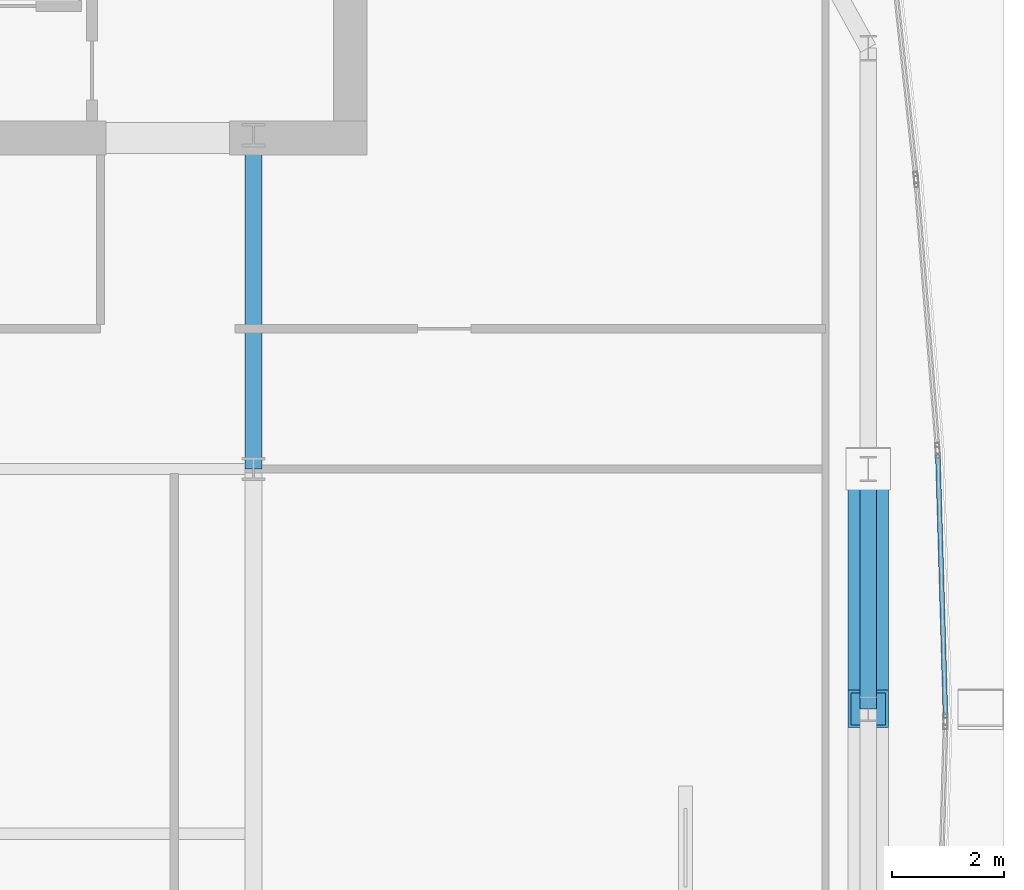
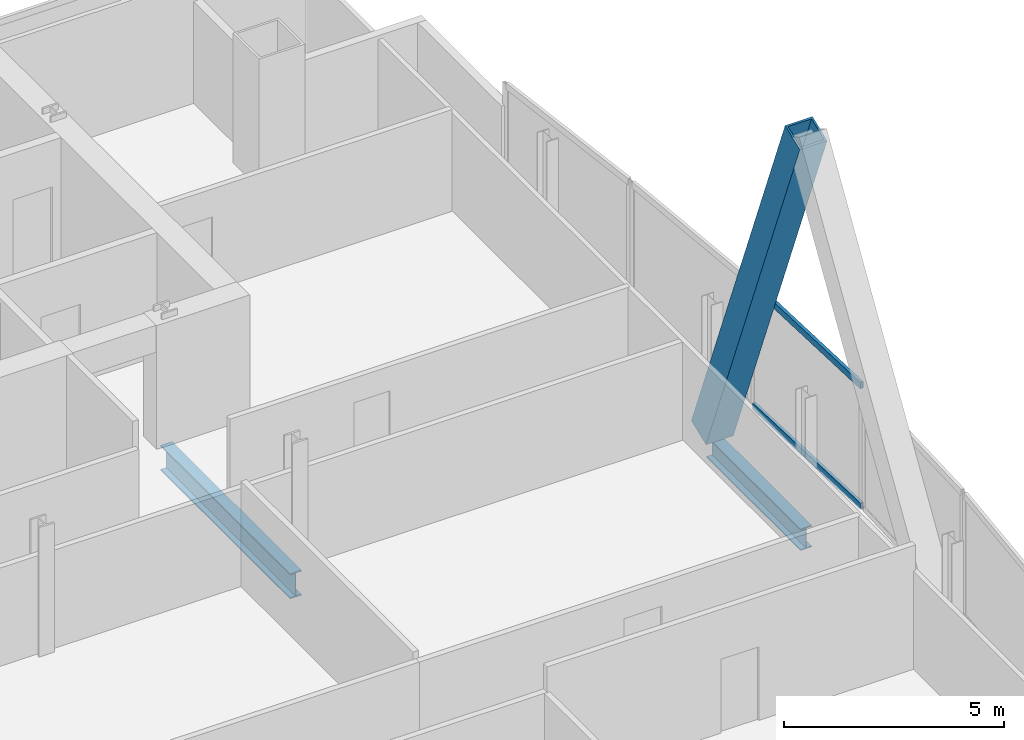
# One storey, part 19 of 32: 3 members, 2 beams, 1 element without a shape of its own.
"""IFC4 building model written with IfcOpenShell, lengths in metres."""

from ifc_helpers import new_model, si_unit, direction, frame, origin, origin_2d, place, context, subcontext, project, spatial, hollow_rectangle, i_section, extrude, material, material_profile, profile_set, type_object, element, aggregate, save


model = new_model("IFC4")

# Units and contexts
model_context = context("Model", 3, precision=1e-05, world=origin(), true_north=direction((0.0, 1.0)))
body_context = subcontext(model_context, "Body", "Model", "MODEL_VIEW")
ifc_project = project(units=[si_unit("LENGTHUNIT", "METRE"), si_unit("AREAUNIT", "SQUARE_METRE"), si_unit("VOLUMEUNIT", "CUBIC_METRE"), si_unit("PLANEANGLEUNIT", "RADIAN"), si_unit("MASSUNIT", "GRAM", prefix="KILO")], contexts=[model_context])

# Site, building, storey
site_placement = place(None, origin())
site = spatial("IfcSite", under=ifc_project, at=site_placement, CompositionType="ELEMENT")
building_placement = place(site_placement, origin())
building = spatial("IfcBuilding", under=site, at=building_placement, Name="Khoronbel Lancet Exchange", CompositionType="ELEMENT")
storey_placement = place(building_placement, frame((0.0, 0.0, 188.60009765625)))
storey = spatial("IfcBuildingStorey", under=building, at=storey_placement, Name="L47", CompositionType="ELEMENT", Elevation=188.60009765625)

# Beams
ifc_material_1 = material(Name="Steel S355", Category="steel")
ifc_material_profile_1 = material_profile(ifc_material_1, i_section(OverallWidth=0.300048828125, OverallDepth=0.699951171875, WebThickness=0.01708984375, FlangeThickness=0.031982421875, at=origin_2d()), Name="HEB 700")
ifc_profile_set_1 = profile_set([ifc_material_profile_1], Name="Steel S355")
beam_type_1 = type_object("IfcBeamType", Name="BM-BG3", PredefinedType="BEAM", material=ifc_profile_set_1)
beam_1_placement = place(storey_placement, frame((54.675048828125, 35.699951171875, -0.510009765625), z_axis=(0.0, 1.0, 0.0), x_axis=(-1.0, 0.0, 0.0)))
element("IfcBeam", 1, at=beam_1_placement, inside=storey, type_object=beam_type_1, Name="Level L47 spine tie girder GN6", PredefinedType="BEAM", context=body_context, shape_type="SweptSolid", body=[
    extrude(i_section(OverallWidth=0.300048828125, OverallDepth=0.699951171875, WebThickness=0.01708984375, FlangeThickness=0.031982421875, at=origin_2d()), origin(), (0.0, 0.0, 1.0), 5.900146484375),
])
ifc_material_profile_2 = material_profile(ifc_material_1, i_section(OverallWidth=0.300048828125, OverallDepth=0.60009765625, WebThickness=0.015380859375, FlangeThickness=0.030029296875, at=origin_2d()), Name="HEB 600")
ifc_profile_set_2 = profile_set([ifc_material_profile_2], Name="Steel S355")
beam_type_2 = type_object("IfcBeamType", Name="BM-BSP2", PredefinedType="SPANDREL", material=ifc_profile_set_2)
beam_2_placement = place(storey_placement, frame((65.6298828125, 31.425048828125, -0.460205078125), z_axis=(0.0, 1.0, 0.0), x_axis=(-1.0, 0.0, 0.0)))
element("IfcBeam", 2, at=beam_2_placement, inside=storey, type_object=beam_type_2, Name="Level L47 perimeter spandrel beam SP11", PredefinedType="SPANDREL", context=body_context, shape_type="SweptSolid", body=[
    extrude(i_section(OverallWidth=0.300048828125, OverallDepth=0.60009765625, WebThickness=0.015380859375, FlangeThickness=0.030029296875, at=origin_2d()), origin(), (0.0, 0.0, 1.0), 4.27490234375),
])

# Curtain wall, members
ifc_material_2 = material(Name="Low-E Solar Control Insulating Glass", Category="glass")
curtain_wall_type = type_object("IfcCurtainWallType", Name="CW-4", PredefinedType="NOTDEFINED", material=ifc_material_2)
curtain_wall_placement = place(storey_placement, origin())
curtain_wall = element("IfcCurtainWall", 3, at=curtain_wall_placement, inside=storey, type_object=curtain_wall_type, Name="Unitised curtain wall CW-L47-E19", PredefinedType="NOTDEFINED")
ifc_material_3 = material(Name="Bronze-Anodised Aluminium 6063-T6", Category="aluminium")
ifc_material_profile_3 = material_profile(ifc_material_3, hollow_rectangle(XDim=0.0849609375, YDim=0.179931640625, WallThickness=0.0048828125, at=origin_2d()), Name="ALU TRANSOM 85x180")
ifc_profile_set_3 = profile_set([ifc_material_profile_3], Name="Bronze-Anodised Aluminium 6063-T6")
member_type_1 = type_object("IfcMemberType", Name="MEM-CWT1", PredefinedType="USERDEFINED", material=ifc_profile_set_3)
member_1_placement = place(storey_placement, frame((66.87158203125, 35.953369140625, 0.04248046875), z_axis=(0.029106277096, -0.999576322566, 0.0), x_axis=(0.999576322566, 0.029106277096, 0.0)))
member_1 = element("IfcMember", 4, at=member_1_placement, type_object=member_type_1, Name="CW4 transom 1.1", ObjectType="TRANSOM", PredefinedType="USERDEFINED", context=body_context, shape_type="SweptSolid", body=[
    extrude(hollow_rectangle(XDim=0.0849609375, YDim=0.179931640625, WallThickness=0.0048828125, at=origin_2d()), origin(), (0.0, 0.0, 1.0), 4.680419921875),
])
member_2_placement = place(storey_placement, frame((66.87158203125, 35.953369140625, 3.3974609375), z_axis=(0.029106277096, -0.999576322566, 0.0), x_axis=(0.999576322566, 0.029106277096, 0.0)))
member_2 = element("IfcMember", 5, at=member_2_placement, type_object=member_type_1, Name="CW4 transom 1.2", ObjectType="TRANSOM", PredefinedType="USERDEFINED", context=body_context, shape_type="SweptSolid", body=[
    extrude(hollow_rectangle(XDim=0.0849609375, YDim=0.179931640625, WallThickness=0.0048828125, at=origin_2d()), origin(), (0.0, 0.0, 1.0), 4.680419921875),
])
aggregate(curtain_wall, [member_1, member_2])

# Member
ifc_material_4 = material(Name="Steel S460", Category="steel")
ifc_material_profile_4 = material_profile(ifc_material_4, hollow_rectangle(XDim=0.719970703125, YDim=0.719970703125, WallThickness=0.050048828125, at=origin_2d()), Name="BOX 720x720x50")
ifc_profile_set_4 = profile_set([ifc_material_profile_4], Name="Steel S460")
member_type_2 = type_object("IfcMemberType", Name="MEM-MB2", PredefinedType="BRACE", material=ifc_profile_set_4)
member_3_placement = place(storey_placement, frame((65.6298828125, 35.699951171875, 0.0), z_axis=(0.0, -0.368046936675, 0.929807212493), x_axis=(1.0, 0.0, 0.0)))
element("IfcMember", 6, at=member_3_placement, inside=storey, type_object=member_type_2, Name="Perimeter lancet brace tier 16 E-P-R", PredefinedType="BRACE", context=body_context, shape_type="SweptSolid", body=[
    extrude(hollow_rectangle(XDim=0.719970703125, YDim=0.719970703125, WallThickness=0.050048828125, at=origin_2d()), origin(), (0.0, 0.0, 1.0), 11.614990234375),
])

save(model, "model.ifc")
